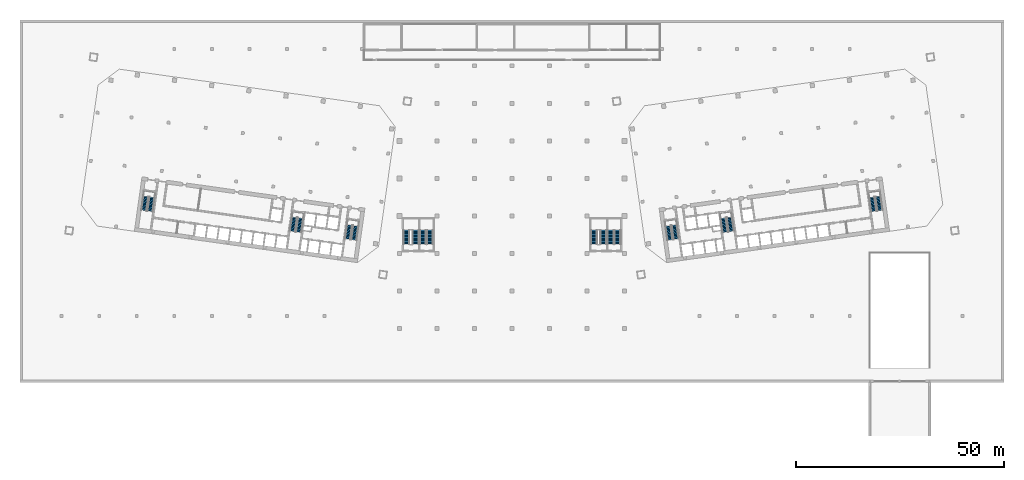
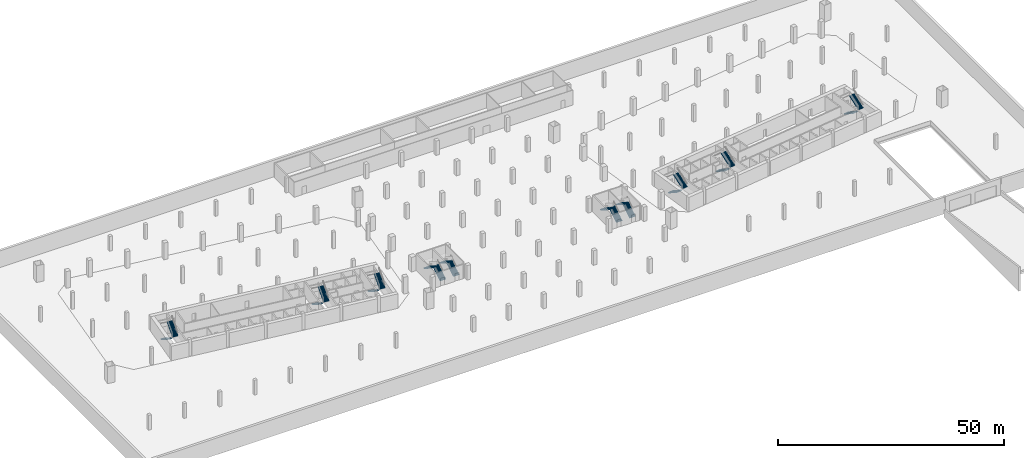
# One storey, part 13 of 17: 20 stair flights, 10 elements without a shape of their own.
"""IFC4 building model written with IfcOpenShell, lengths in metres."""

from ifc_helpers import new_model, si_unit, direction, frame, origin, place, context, subcontext, project, spatial, polyline, outline, extrude, material, type_object, element, aggregate, save


model = new_model("IFC4")

# Units and contexts
model_context = context("Model", 3, precision=1e-05, world=origin(), true_north=direction((0.0, 1.0)))
body_context = subcontext(model_context, "Body", "Model", "MODEL_VIEW")
ifc_project = project(units=[si_unit("LENGTHUNIT", "METRE"), si_unit("AREAUNIT", "SQUARE_METRE"), si_unit("VOLUMEUNIT", "CUBIC_METRE"), si_unit("PLANEANGLEUNIT", "RADIAN"), si_unit("MASSUNIT", "GRAM", prefix="KILO")], contexts=[model_context])

# Site, building, storey
site_placement = place(None, origin())
site = spatial("IfcSite", under=ifc_project, at=site_placement, CompositionType="ELEMENT")
building_placement = place(site_placement, origin())
building = spatial("IfcBuilding", under=site, at=building_placement, Name="Mirante Cascada Hotel Towers", CompositionType="ELEMENT")
storey_placement = place(building_placement, frame((0.0, 0.0, -4.5)))
storey = spatial("IfcBuildingStorey", under=building, at=storey_placement, Name="B1", CompositionType="ELEMENT", Elevation=-4.5)

# Stair, stair flights
ifc_material_1 = material(Name="Concrete C35/45", Category="concrete")
stair_type_1 = type_object("IfcStairType", Name="Exit stair half-turn 1350 concrete C35/45", PredefinedType="HALF_TURN_STAIR", material=ifc_material_1)
stair_1_placement = place(storey_placement, origin())
stair_1 = element("IfcStair", 1, at=stair_1_placement, inside=storey, type_object=stair_type_1, Name="B1 Exit stair A", PredefinedType="HALF_TURN_STAIR")
ifc_material_2 = material(Name="Concrete C35/45", Category="concrete")
stair_flight_type_1 = type_object("IfcStairFlightType", Name="Exit stair flight 1350 concrete C35/45", PredefinedType="STRAIGHT", material=ifc_material_2)
stair_flight_1_placement = place(storey_placement, frame((-38.9417, -11.195, 0.0), z_axis=(0.0, 0.0, 1.0), x_axis=(-0.1391731, -0.9902681, 0.0)))
stair_flight_1 = element("IfcStairFlight", 2, at=stair_flight_1_placement, type_object=stair_flight_type_1, Name="ST1-A flight 1", NumberOfRisers=13, NumberOfTreads=12, PredefinedType="STRAIGHT", RiserHeight=0.173076923, TreadLength=0.28, context=body_context, shape_type="SweptSolid", body=[
    extrude(outline(polyline([(0.0, 0.0), (0.0, 0.1731), (0.28, 0.1731), (0.28, 0.3462), (0.56, 0.3462), (0.56, 0.5192), (0.84, 0.5192), (0.84, 0.6923), (1.12, 0.6923), (1.12, 0.8654), (1.4, 0.8654), (1.4, 1.0385), (1.68, 1.0385), (1.68, 1.2115), (1.96, 1.2115), (1.96, 1.3846), (2.24, 1.3846), (2.24, 1.5577), (2.52, 1.5577), (2.52, 1.7308), (2.8, 1.7308), (2.8, 1.9038), (3.08, 1.9038), (3.08, 2.0769), (3.36, 2.0769), (3.36, 2.25), (3.36, 1.9006), (0.2853, 0.0), (0.0, 0.0)])), frame((0.0, 0.675, 0.0), z_axis=(0.0, -1.0, 0.0), x_axis=(1.0, 0.0, 0.0)), (0.0, 0.0, 1.0), 1.35),
])
stair_flight_2_placement = place(storey_placement, frame((-37.9239, -14.7311, 2.25), z_axis=(0.0, 0.0, 1.0), x_axis=(0.1391731, 0.9902681, 0.0)))
stair_flight_2 = element("IfcStairFlight", 3, at=stair_flight_2_placement, type_object=stair_flight_type_1, Name="ST1-A flight 2", NumberOfRisers=13, NumberOfTreads=12, PredefinedType="STRAIGHT", RiserHeight=0.173076923, TreadLength=0.28, context=body_context, shape_type="SweptSolid", body=[
    extrude(outline(polyline([(0.0, 0.0), (0.0, 0.1731), (0.28, 0.1731), (0.28, 0.3462), (0.56, 0.3462), (0.56, 0.5192), (0.84, 0.5192), (0.84, 0.6923), (1.12, 0.6923), (1.12, 0.8654), (1.4, 0.8654), (1.4, 1.0385), (1.68, 1.0385), (1.68, 1.2115), (1.96, 1.2115), (1.96, 1.3846), (2.24, 1.3846), (2.24, 1.5577), (2.52, 1.5577), (2.52, 1.7308), (2.8, 1.7308), (2.8, 1.9038), (3.08, 1.9038), (3.08, 2.0769), (3.36, 2.0769), (3.36, 2.25), (3.36, 1.9006), (0.2853, 0.0), (0.0, 0.0)])), frame((0.0, 0.675, 0.0), z_axis=(0.0, -1.0, 0.0), x_axis=(1.0, 0.0, 0.0)), (0.0, 0.0, 1.0), 1.35),
])
aggregate(stair_1, [stair_flight_1, stair_flight_2])

stair_2_placement = place(storey_placement, origin())
stair_2 = element("IfcStair", 4, at=stair_2_placement, inside=storey, type_object=stair_type_1, Name="B1 Exit stair B", PredefinedType="HALF_TURN_STAIR")
stair_flight_3_placement = place(storey_placement, frame((-52.1618, -9.3371, 0.0), z_axis=(0.0, 0.0, 1.0), x_axis=(-0.1391731, -0.9902681, 0.0)))
stair_flight_3 = element("IfcStairFlight", 5, at=stair_flight_3_placement, type_object=stair_flight_type_1, Name="ST1-B flight 1", NumberOfRisers=13, NumberOfTreads=12, PredefinedType="STRAIGHT", RiserHeight=0.173076923, TreadLength=0.28, context=body_context, shape_type="SweptSolid", body=[
    extrude(outline(polyline([(0.0, 0.0), (0.0, 0.1731), (0.28, 0.1731), (0.28, 0.3462), (0.56, 0.3462), (0.56, 0.5192), (0.84, 0.5192), (0.84, 0.6923), (1.12, 0.6923), (1.12, 0.8654), (1.4, 0.8654), (1.4, 1.0385), (1.68, 1.0385), (1.68, 1.2115), (1.96, 1.2115), (1.96, 1.3846), (2.24, 1.3846), (2.24, 1.5577), (2.52, 1.5577), (2.52, 1.7308), (2.8, 1.7308), (2.8, 1.9038), (3.08, 1.9038), (3.08, 2.0769), (3.36, 2.0769), (3.36, 2.25), (3.36, 1.9006), (0.2853, 0.0), (0.0, 0.0)])), frame((0.0, 0.675, 0.0), z_axis=(0.0, -1.0, 0.0), x_axis=(1.0, 0.0, 0.0)), (0.0, 0.0, 1.0), 1.35),
])
stair_flight_4_placement = place(storey_placement, frame((-51.144, -12.8731, 2.25), z_axis=(0.0, 0.0, 1.0), x_axis=(0.1391731, 0.9902681, 0.0)))
stair_flight_4 = element("IfcStairFlight", 6, at=stair_flight_4_placement, type_object=stair_flight_type_1, Name="ST1-B flight 2", NumberOfRisers=13, NumberOfTreads=12, PredefinedType="STRAIGHT", RiserHeight=0.173076923, TreadLength=0.28, context=body_context, shape_type="SweptSolid", body=[
    extrude(outline(polyline([(0.0, 0.0), (0.0, 0.1731), (0.28, 0.1731), (0.28, 0.3462), (0.56, 0.3462), (0.56, 0.5192), (0.84, 0.5192), (0.84, 0.6923), (1.12, 0.6923), (1.12, 0.8654), (1.4, 0.8654), (1.4, 1.0385), (1.68, 1.0385), (1.68, 1.2115), (1.96, 1.2115), (1.96, 1.3846), (2.24, 1.3846), (2.24, 1.5577), (2.52, 1.5577), (2.52, 1.7308), (2.8, 1.7308), (2.8, 1.9038), (3.08, 1.9038), (3.08, 2.0769), (3.36, 2.0769), (3.36, 2.25), (3.36, 1.9006), (0.2853, 0.0), (0.0, 0.0)])), frame((0.0, 0.675, 0.0), z_axis=(0.0, -1.0, 0.0), x_axis=(1.0, 0.0, 0.0)), (0.0, 0.0, 1.0), 1.35),
])
aggregate(stair_2, [stair_flight_3, stair_flight_4])

stair_3_placement = place(storey_placement, origin())
stair_3 = element("IfcStair", 7, at=stair_3_placement, inside=storey, type_object=stair_type_1, Name="B1 Exit stair C", PredefinedType="HALF_TURN_STAIR")
stair_flight_5_placement = place(storey_placement, frame((-87.8115, -4.3268, 0.0), z_axis=(0.0, 0.0, 1.0), x_axis=(-0.1391731, -0.9902681, 0.0)))
stair_flight_5 = element("IfcStairFlight", 8, at=stair_flight_5_placement, type_object=stair_flight_type_1, Name="ST1-C flight 1", NumberOfRisers=13, NumberOfTreads=12, PredefinedType="STRAIGHT", RiserHeight=0.173076923, TreadLength=0.28, context=body_context, shape_type="SweptSolid", body=[
    extrude(outline(polyline([(0.0, 0.0), (0.0, 0.1731), (0.28, 0.1731), (0.28, 0.3462), (0.56, 0.3462), (0.56, 0.5192), (0.84, 0.5192), (0.84, 0.6923), (1.12, 0.6923), (1.12, 0.8654), (1.4, 0.8654), (1.4, 1.0385), (1.68, 1.0385), (1.68, 1.2115), (1.96, 1.2115), (1.96, 1.3846), (2.24, 1.3846), (2.24, 1.5577), (2.52, 1.5577), (2.52, 1.7308), (2.8, 1.7308), (2.8, 1.9038), (3.08, 1.9038), (3.08, 2.0769), (3.36, 2.0769), (3.36, 2.25), (3.36, 1.9006), (0.2853, 0.0), (0.0, 0.0)])), frame((0.0, 0.675, 0.0), z_axis=(0.0, -1.0, 0.0), x_axis=(1.0, 0.0, 0.0)), (0.0, 0.0, 1.0), 1.35),
])
stair_flight_6_placement = place(storey_placement, frame((-86.7937, -7.8629, 2.25), z_axis=(0.0, 0.0, 1.0), x_axis=(0.1391731, 0.9902681, 0.0)))
stair_flight_6 = element("IfcStairFlight", 9, at=stair_flight_6_placement, type_object=stair_flight_type_1, Name="ST1-C flight 2", NumberOfRisers=13, NumberOfTreads=12, PredefinedType="STRAIGHT", RiserHeight=0.173076923, TreadLength=0.28, context=body_context, shape_type="SweptSolid", body=[
    extrude(outline(polyline([(0.0, 0.0), (0.0, 0.1731), (0.28, 0.1731), (0.28, 0.3462), (0.56, 0.3462), (0.56, 0.5192), (0.84, 0.5192), (0.84, 0.6923), (1.12, 0.6923), (1.12, 0.8654), (1.4, 0.8654), (1.4, 1.0385), (1.68, 1.0385), (1.68, 1.2115), (1.96, 1.2115), (1.96, 1.3846), (2.24, 1.3846), (2.24, 1.5577), (2.52, 1.5577), (2.52, 1.7308), (2.8, 1.7308), (2.8, 1.9038), (3.08, 1.9038), (3.08, 2.0769), (3.36, 2.0769), (3.36, 2.25), (3.36, 1.9006), (0.2853, 0.0), (0.0, 0.0)])), frame((0.0, 0.675, 0.0), z_axis=(0.0, -1.0, 0.0), x_axis=(1.0, 0.0, 0.0)), (0.0, 0.0, 1.0), 1.35),
])
aggregate(stair_3, [stair_flight_5, stair_flight_6])

stair_4_placement = place(storey_placement, origin())
stair_4 = element("IfcStair", 10, at=stair_4_placement, inside=storey, type_object=stair_type_1, Name="B1 Exit stair A", PredefinedType="HALF_TURN_STAIR")
stair_flight_7_placement = place(storey_placement, frame((37.4563, -11.4038, 0.0), z_axis=(0.0, 0.0, 1.0), x_axis=(0.1391731, -0.9902681, 0.0)))
stair_flight_7 = element("IfcStairFlight", 11, at=stair_flight_7_placement, type_object=stair_flight_type_1, Name="ST2-A flight 1", NumberOfRisers=13, NumberOfTreads=12, PredefinedType="STRAIGHT", RiserHeight=0.173076923, TreadLength=0.28, context=body_context, shape_type="SweptSolid", body=[
    extrude(outline(polyline([(0.0, 0.0), (0.0, 0.1731), (0.28, 0.1731), (0.28, 0.3462), (0.56, 0.3462), (0.56, 0.5192), (0.84, 0.5192), (0.84, 0.6923), (1.12, 0.6923), (1.12, 0.8654), (1.4, 0.8654), (1.4, 1.0385), (1.68, 1.0385), (1.68, 1.2115), (1.96, 1.2115), (1.96, 1.3846), (2.24, 1.3846), (2.24, 1.5577), (2.52, 1.5577), (2.52, 1.7308), (2.8, 1.7308), (2.8, 1.9038), (3.08, 1.9038), (3.08, 2.0769), (3.36, 2.0769), (3.36, 2.25), (3.36, 1.9006), (0.2853, 0.0), (0.0, 0.0)])), frame((0.0, 0.675, 0.0), z_axis=(0.0, -1.0, 0.0), x_axis=(1.0, 0.0, 0.0)), (0.0, 0.0, 1.0), 1.35),
])
stair_flight_8_placement = place(storey_placement, frame((39.4093, -14.5223, 2.25), z_axis=(0.0, 0.0, 1.0), x_axis=(-0.1391731, 0.9902681, 0.0)))
stair_flight_8 = element("IfcStairFlight", 12, at=stair_flight_8_placement, type_object=stair_flight_type_1, Name="ST2-A flight 2", NumberOfRisers=13, NumberOfTreads=12, PredefinedType="STRAIGHT", RiserHeight=0.173076923, TreadLength=0.28, context=body_context, shape_type="SweptSolid", body=[
    extrude(outline(polyline([(0.0, 0.0), (0.0, 0.1731), (0.28, 0.1731), (0.28, 0.3462), (0.56, 0.3462), (0.56, 0.5192), (0.84, 0.5192), (0.84, 0.6923), (1.12, 0.6923), (1.12, 0.8654), (1.4, 0.8654), (1.4, 1.0385), (1.68, 1.0385), (1.68, 1.2115), (1.96, 1.2115), (1.96, 1.3846), (2.24, 1.3846), (2.24, 1.5577), (2.52, 1.5577), (2.52, 1.7308), (2.8, 1.7308), (2.8, 1.9038), (3.08, 1.9038), (3.08, 2.0769), (3.36, 2.0769), (3.36, 2.25), (3.36, 1.9006), (0.2853, 0.0), (0.0, 0.0)])), frame((0.0, 0.675, 0.0), z_axis=(0.0, -1.0, 0.0), x_axis=(1.0, 0.0, 0.0)), (0.0, 0.0, 1.0), 1.35),
])
aggregate(stair_4, [stair_flight_7, stair_flight_8])

stair_5_placement = place(storey_placement, origin())
stair_5 = element("IfcStair", 13, at=stair_5_placement, inside=storey, type_object=stair_type_1, Name="B1 Exit stair B", PredefinedType="HALF_TURN_STAIR")
stair_flight_9_placement = place(storey_placement, frame((50.6764, -9.5458, 0.0), z_axis=(0.0, 0.0, 1.0), x_axis=(0.1391731, -0.9902681, 0.0)))
stair_flight_9 = element("IfcStairFlight", 14, at=stair_flight_9_placement, type_object=stair_flight_type_1, Name="ST2-B flight 1", NumberOfRisers=13, NumberOfTreads=12, PredefinedType="STRAIGHT", RiserHeight=0.173076923, TreadLength=0.28, context=body_context, shape_type="SweptSolid", body=[
    extrude(outline(polyline([(0.0, 0.0), (0.0, 0.1731), (0.28, 0.1731), (0.28, 0.3462), (0.56, 0.3462), (0.56, 0.5192), (0.84, 0.5192), (0.84, 0.6923), (1.12, 0.6923), (1.12, 0.8654), (1.4, 0.8654), (1.4, 1.0385), (1.68, 1.0385), (1.68, 1.2115), (1.96, 1.2115), (1.96, 1.3846), (2.24, 1.3846), (2.24, 1.5577), (2.52, 1.5577), (2.52, 1.7308), (2.8, 1.7308), (2.8, 1.9038), (3.08, 1.9038), (3.08, 2.0769), (3.36, 2.0769), (3.36, 2.25), (3.36, 1.9006), (0.2853, 0.0), (0.0, 0.0)])), frame((0.0, 0.675, 0.0), z_axis=(0.0, -1.0, 0.0), x_axis=(1.0, 0.0, 0.0)), (0.0, 0.0, 1.0), 1.35),
])
stair_flight_10_placement = place(storey_placement, frame((52.6294, -12.6644, 2.25), z_axis=(0.0, 0.0, 1.0), x_axis=(-0.1391731, 0.9902681, 0.0)))
stair_flight_10 = element("IfcStairFlight", 15, at=stair_flight_10_placement, type_object=stair_flight_type_1, Name="ST2-B flight 2", NumberOfRisers=13, NumberOfTreads=12, PredefinedType="STRAIGHT", RiserHeight=0.173076923, TreadLength=0.28, context=body_context, shape_type="SweptSolid", body=[
    extrude(outline(polyline([(0.0, 0.0), (0.0, 0.1731), (0.28, 0.1731), (0.28, 0.3462), (0.56, 0.3462), (0.56, 0.5192), (0.84, 0.5192), (0.84, 0.6923), (1.12, 0.6923), (1.12, 0.8654), (1.4, 0.8654), (1.4, 1.0385), (1.68, 1.0385), (1.68, 1.2115), (1.96, 1.2115), (1.96, 1.3846), (2.24, 1.3846), (2.24, 1.5577), (2.52, 1.5577), (2.52, 1.7308), (2.8, 1.7308), (2.8, 1.9038), (3.08, 1.9038), (3.08, 2.0769), (3.36, 2.0769), (3.36, 2.25), (3.36, 1.9006), (0.2853, 0.0), (0.0, 0.0)])), frame((0.0, 0.675, 0.0), z_axis=(0.0, -1.0, 0.0), x_axis=(1.0, 0.0, 0.0)), (0.0, 0.0, 1.0), 1.35),
])
aggregate(stair_5, [stair_flight_9, stair_flight_10])

stair_6_placement = place(storey_placement, origin())
stair_6 = element("IfcStair", 16, at=stair_6_placement, inside=storey, type_object=stair_type_1, Name="B1 Exit stair C", PredefinedType="HALF_TURN_STAIR")
stair_flight_11_placement = place(storey_placement, frame((86.326, -4.5356, 0.0), z_axis=(0.0, 0.0, 1.0), x_axis=(0.1391731, -0.9902681, 0.0)))
stair_flight_11 = element("IfcStairFlight", 17, at=stair_flight_11_placement, type_object=stair_flight_type_1, Name="ST2-C flight 1", NumberOfRisers=13, NumberOfTreads=12, PredefinedType="STRAIGHT", RiserHeight=0.173076923, TreadLength=0.28, context=body_context, shape_type="SweptSolid", body=[
    extrude(outline(polyline([(0.0, 0.0), (0.0, 0.1731), (0.28, 0.1731), (0.28, 0.3462), (0.56, 0.3462), (0.56, 0.5192), (0.84, 0.5192), (0.84, 0.6923), (1.12, 0.6923), (1.12, 0.8654), (1.4, 0.8654), (1.4, 1.0385), (1.68, 1.0385), (1.68, 1.2115), (1.96, 1.2115), (1.96, 1.3846), (2.24, 1.3846), (2.24, 1.5577), (2.52, 1.5577), (2.52, 1.7308), (2.8, 1.7308), (2.8, 1.9038), (3.08, 1.9038), (3.08, 2.0769), (3.36, 2.0769), (3.36, 2.25), (3.36, 1.9006), (0.2853, 0.0), (0.0, 0.0)])), frame((0.0, 0.675, 0.0), z_axis=(0.0, -1.0, 0.0), x_axis=(1.0, 0.0, 0.0)), (0.0, 0.0, 1.0), 1.35),
])
stair_flight_12_placement = place(storey_placement, frame((88.2791, -7.6541, 2.25), z_axis=(0.0, 0.0, 1.0), x_axis=(-0.1391731, 0.9902681, 0.0)))
stair_flight_12 = element("IfcStairFlight", 18, at=stair_flight_12_placement, type_object=stair_flight_type_1, Name="ST2-C flight 2", NumberOfRisers=13, NumberOfTreads=12, PredefinedType="STRAIGHT", RiserHeight=0.173076923, TreadLength=0.28, context=body_context, shape_type="SweptSolid", body=[
    extrude(outline(polyline([(0.0, 0.0), (0.0, 0.1731), (0.28, 0.1731), (0.28, 0.3462), (0.56, 0.3462), (0.56, 0.5192), (0.84, 0.5192), (0.84, 0.6923), (1.12, 0.6923), (1.12, 0.8654), (1.4, 0.8654), (1.4, 1.0385), (1.68, 1.0385), (1.68, 1.2115), (1.96, 1.2115), (1.96, 1.3846), (2.24, 1.3846), (2.24, 1.5577), (2.52, 1.5577), (2.52, 1.7308), (2.8, 1.7308), (2.8, 1.9038), (3.08, 1.9038), (3.08, 2.0769), (3.36, 2.0769), (3.36, 2.25), (3.36, 1.9006), (0.2853, 0.0), (0.0, 0.0)])), frame((0.0, 0.675, 0.0), z_axis=(0.0, -1.0, 0.0), x_axis=(1.0, 0.0, 0.0)), (0.0, 0.0, 1.0), 1.35),
])
aggregate(stair_6, [stair_flight_11, stair_flight_12])

ifc_material_3 = material(Name="Concrete C35/45", Category="concrete")
stair_type_2 = type_object("IfcStairType", Name="Podium exit stair half-turn 1500 concrete C35/45", PredefinedType="HALF_TURN_STAIR", material=ifc_material_3)
stair_7_placement = place(storey_placement, origin())
stair_7 = element("IfcStair", 19, at=stair_7_placement, inside=storey, type_object=stair_type_2, Name="B1 Podium exit stair 3", PredefinedType="HALF_TURN_STAIR")
ifc_material_4 = material(Name="Concrete C35/45", Category="concrete")
stair_flight_type_2 = type_object("IfcStairFlightType", Name="Podium exit stair flight 1500 concrete C35/45", PredefinedType="STRAIGHT", material=ifc_material_4)
stair_flight_13_placement = place(storey_placement, frame((-19.675, -15.775, 0.0), z_axis=(0.0, 0.0, 1.0), x_axis=(0.0, 1.0, 0.0)))
stair_flight_13 = element("IfcStairFlight", 20, at=stair_flight_13_placement, type_object=stair_flight_type_2, Name="PS1 flight 1", NumberOfRisers=13, NumberOfTreads=12, PredefinedType="STRAIGHT", RiserHeight=0.173076923, TreadLength=0.28, context=body_context, shape_type="SweptSolid", body=[
    extrude(outline(polyline([(0.0, 0.0), (0.0, 0.1731), (0.28, 0.1731), (0.28, 0.3462), (0.56, 0.3462), (0.56, 0.5192), (0.84, 0.5192), (0.84, 0.6923), (1.12, 0.6923), (1.12, 0.8654), (1.4, 0.8654), (1.4, 1.0385), (1.68, 1.0385), (1.68, 1.2115), (1.96, 1.2115), (1.96, 1.3846), (2.24, 1.3846), (2.24, 1.5577), (2.52, 1.5577), (2.52, 1.7308), (2.8, 1.7308), (2.8, 1.9038), (3.08, 1.9038), (3.08, 2.0769), (3.36, 2.0769), (3.36, 2.25), (3.36, 1.9006), (0.2853, 0.0), (0.0, 0.0)])), frame((0.0, 0.75, 0.0), z_axis=(0.0, -1.0, 0.0), x_axis=(1.0, 0.0, 0.0)), (0.0, 0.0, 1.0), 1.5),
])
stair_flight_14_placement = place(storey_placement, frame((-21.325, -12.415, 2.25), z_axis=(0.0, 0.0, 1.0), x_axis=(0.0, -1.0, 0.0)))
stair_flight_14 = element("IfcStairFlight", 21, at=stair_flight_14_placement, type_object=stair_flight_type_2, Name="PS1 flight 2", NumberOfRisers=13, NumberOfTreads=12, PredefinedType="STRAIGHT", RiserHeight=0.173076923, TreadLength=0.28, context=body_context, shape_type="SweptSolid", body=[
    extrude(outline(polyline([(0.0, 0.0), (0.0, 0.1731), (0.28, 0.1731), (0.28, 0.3462), (0.56, 0.3462), (0.56, 0.5192), (0.84, 0.5192), (0.84, 0.6923), (1.12, 0.6923), (1.12, 0.8654), (1.4, 0.8654), (1.4, 1.0385), (1.68, 1.0385), (1.68, 1.2115), (1.96, 1.2115), (1.96, 1.3846), (2.24, 1.3846), (2.24, 1.5577), (2.52, 1.5577), (2.52, 1.7308), (2.8, 1.7308), (2.8, 1.9038), (3.08, 1.9038), (3.08, 2.0769), (3.36, 2.0769), (3.36, 2.25), (3.36, 1.9006), (0.2853, 0.0), (0.0, 0.0)])), frame((0.0, 0.75, 0.0), z_axis=(0.0, -1.0, 0.0), x_axis=(1.0, 0.0, 0.0)), (0.0, 0.0, 1.0), 1.5),
])
aggregate(stair_7, [stair_flight_13, stair_flight_14])

stair_8_placement = place(storey_placement, origin())
stair_8 = element("IfcStair", 22, at=stair_8_placement, inside=storey, type_object=stair_type_2, Name="B1 Podium exit stair 5", PredefinedType="HALF_TURN_STAIR")
stair_flight_15_placement = place(storey_placement, frame((-23.075, -15.775, 0.0), z_axis=(0.0, 0.0, 1.0), x_axis=(0.0, 1.0, 0.0)))
stair_flight_15 = element("IfcStairFlight", 23, at=stair_flight_15_placement, type_object=stair_flight_type_2, Name="PS3 flight 1", NumberOfRisers=13, NumberOfTreads=12, PredefinedType="STRAIGHT", RiserHeight=0.173076923, TreadLength=0.28, context=body_context, shape_type="SweptSolid", body=[
    extrude(outline(polyline([(0.0, 0.0), (0.0, 0.1731), (0.28, 0.1731), (0.28, 0.3462), (0.56, 0.3462), (0.56, 0.5192), (0.84, 0.5192), (0.84, 0.6923), (1.12, 0.6923), (1.12, 0.8654), (1.4, 0.8654), (1.4, 1.0385), (1.68, 1.0385), (1.68, 1.2115), (1.96, 1.2115), (1.96, 1.3846), (2.24, 1.3846), (2.24, 1.5577), (2.52, 1.5577), (2.52, 1.7308), (2.8, 1.7308), (2.8, 1.9038), (3.08, 1.9038), (3.08, 2.0769), (3.36, 2.0769), (3.36, 2.25), (3.36, 1.9006), (0.2853, 0.0), (0.0, 0.0)])), frame((0.0, 0.75, 0.0), z_axis=(0.0, -1.0, 0.0), x_axis=(1.0, 0.0, 0.0)), (0.0, 0.0, 1.0), 1.5),
])
stair_flight_16_placement = place(storey_placement, frame((-25.325, -12.415, 2.25), z_axis=(0.0, 0.0, 1.0), x_axis=(0.0, -1.0, 0.0)))
stair_flight_16 = element("IfcStairFlight", 24, at=stair_flight_16_placement, type_object=stair_flight_type_2, Name="PS3 flight 2", NumberOfRisers=13, NumberOfTreads=12, PredefinedType="STRAIGHT", RiserHeight=0.173076923, TreadLength=0.28, context=body_context, shape_type="SweptSolid", body=[
    extrude(outline(polyline([(0.0, 0.0), (0.0, 0.1731), (0.28, 0.1731), (0.28, 0.3462), (0.56, 0.3462), (0.56, 0.5192), (0.84, 0.5192), (0.84, 0.6923), (1.12, 0.6923), (1.12, 0.8654), (1.4, 0.8654), (1.4, 1.0385), (1.68, 1.0385), (1.68, 1.2115), (1.96, 1.2115), (1.96, 1.3846), (2.24, 1.3846), (2.24, 1.5577), (2.52, 1.5577), (2.52, 1.7308), (2.8, 1.7308), (2.8, 1.9038), (3.08, 1.9038), (3.08, 2.0769), (3.36, 2.0769), (3.36, 2.25), (3.36, 1.9006), (0.2853, 0.0), (0.0, 0.0)])), frame((0.0, 0.75, 0.0), z_axis=(0.0, -1.0, 0.0), x_axis=(1.0, 0.0, 0.0)), (0.0, 0.0, 1.0), 1.5),
])
aggregate(stair_8, [stair_flight_15, stair_flight_16])

stair_9_placement = place(storey_placement, origin())
stair_9 = element("IfcStair", 25, at=stair_9_placement, inside=storey, type_object=stair_type_2, Name="B1 Podium exit stair 4", PredefinedType="HALF_TURN_STAIR")
stair_flight_17_placement = place(storey_placement, frame((25.325, -15.775, 0.0), z_axis=(0.0, 0.0, 1.0), x_axis=(0.0, 1.0, 0.0)))
stair_flight_17 = element("IfcStairFlight", 26, at=stair_flight_17_placement, type_object=stair_flight_type_2, Name="PS2 flight 1", NumberOfRisers=13, NumberOfTreads=12, PredefinedType="STRAIGHT", RiserHeight=0.173076923, TreadLength=0.28, context=body_context, shape_type="SweptSolid", body=[
    extrude(outline(polyline([(0.0, 0.0), (0.0, 0.1731), (0.28, 0.1731), (0.28, 0.3462), (0.56, 0.3462), (0.56, 0.5192), (0.84, 0.5192), (0.84, 0.6923), (1.12, 0.6923), (1.12, 0.8654), (1.4, 0.8654), (1.4, 1.0385), (1.68, 1.0385), (1.68, 1.2115), (1.96, 1.2115), (1.96, 1.3846), (2.24, 1.3846), (2.24, 1.5577), (2.52, 1.5577), (2.52, 1.7308), (2.8, 1.7308), (2.8, 1.9038), (3.08, 1.9038), (3.08, 2.0769), (3.36, 2.0769), (3.36, 2.25), (3.36, 1.9006), (0.2853, 0.0), (0.0, 0.0)])), frame((0.0, 0.75, 0.0), z_axis=(0.0, -1.0, 0.0), x_axis=(1.0, 0.0, 0.0)), (0.0, 0.0, 1.0), 1.5),
])
stair_flight_18_placement = place(storey_placement, frame((23.675, -12.415, 2.25), z_axis=(0.0, 0.0, 1.0), x_axis=(0.0, -1.0, 0.0)))
stair_flight_18 = element("IfcStairFlight", 27, at=stair_flight_18_placement, type_object=stair_flight_type_2, Name="PS2 flight 2", NumberOfRisers=13, NumberOfTreads=12, PredefinedType="STRAIGHT", RiserHeight=0.173076923, TreadLength=0.28, context=body_context, shape_type="SweptSolid", body=[
    extrude(outline(polyline([(0.0, 0.0), (0.0, 0.1731), (0.28, 0.1731), (0.28, 0.3462), (0.56, 0.3462), (0.56, 0.5192), (0.84, 0.5192), (0.84, 0.6923), (1.12, 0.6923), (1.12, 0.8654), (1.4, 0.8654), (1.4, 1.0385), (1.68, 1.0385), (1.68, 1.2115), (1.96, 1.2115), (1.96, 1.3846), (2.24, 1.3846), (2.24, 1.5577), (2.52, 1.5577), (2.52, 1.7308), (2.8, 1.7308), (2.8, 1.9038), (3.08, 1.9038), (3.08, 2.0769), (3.36, 2.0769), (3.36, 2.25), (3.36, 1.9006), (0.2853, 0.0), (0.0, 0.0)])), frame((0.0, 0.75, 0.0), z_axis=(0.0, -1.0, 0.0), x_axis=(1.0, 0.0, 0.0)), (0.0, 0.0, 1.0), 1.5),
])
aggregate(stair_9, [stair_flight_17, stair_flight_18])

stair_10_placement = place(storey_placement, origin())
stair_10 = element("IfcStair", 28, at=stair_10_placement, inside=storey, type_object=stair_type_2, Name="B1 Podium exit stair 6", PredefinedType="HALF_TURN_STAIR")
stair_flight_19_placement = place(storey_placement, frame((21.925, -15.775, 0.0), z_axis=(0.0, 0.0, 1.0), x_axis=(0.0, 1.0, 0.0)))
stair_flight_19 = element("IfcStairFlight", 29, at=stair_flight_19_placement, type_object=stair_flight_type_2, Name="PS4 flight 1", NumberOfRisers=13, NumberOfTreads=12, PredefinedType="STRAIGHT", RiserHeight=0.173076923, TreadLength=0.28, context=body_context, shape_type="SweptSolid", body=[
    extrude(outline(polyline([(0.0, 0.0), (0.0, 0.1731), (0.28, 0.1731), (0.28, 0.3462), (0.56, 0.3462), (0.56, 0.5192), (0.84, 0.5192), (0.84, 0.6923), (1.12, 0.6923), (1.12, 0.8654), (1.4, 0.8654), (1.4, 1.0385), (1.68, 1.0385), (1.68, 1.2115), (1.96, 1.2115), (1.96, 1.3846), (2.24, 1.3846), (2.24, 1.5577), (2.52, 1.5577), (2.52, 1.7308), (2.8, 1.7308), (2.8, 1.9038), (3.08, 1.9038), (3.08, 2.0769), (3.36, 2.0769), (3.36, 2.25), (3.36, 1.9006), (0.2853, 0.0), (0.0, 0.0)])), frame((0.0, 0.75, 0.0), z_axis=(0.0, -1.0, 0.0), x_axis=(1.0, 0.0, 0.0)), (0.0, 0.0, 1.0), 1.5),
])
stair_flight_20_placement = place(storey_placement, frame((19.675, -12.415, 2.25), z_axis=(0.0, 0.0, 1.0), x_axis=(0.0, -1.0, 0.0)))
stair_flight_20 = element("IfcStairFlight", 30, at=stair_flight_20_placement, type_object=stair_flight_type_2, Name="PS4 flight 2", NumberOfRisers=13, NumberOfTreads=12, PredefinedType="STRAIGHT", RiserHeight=0.173076923, TreadLength=0.28, context=body_context, shape_type="SweptSolid", body=[
    extrude(outline(polyline([(0.0, 0.0), (0.0, 0.1731), (0.28, 0.1731), (0.28, 0.3462), (0.56, 0.3462), (0.56, 0.5192), (0.84, 0.5192), (0.84, 0.6923), (1.12, 0.6923), (1.12, 0.8654), (1.4, 0.8654), (1.4, 1.0385), (1.68, 1.0385), (1.68, 1.2115), (1.96, 1.2115), (1.96, 1.3846), (2.24, 1.3846), (2.24, 1.5577), (2.52, 1.5577), (2.52, 1.7308), (2.8, 1.7308), (2.8, 1.9038), (3.08, 1.9038), (3.08, 2.0769), (3.36, 2.0769), (3.36, 2.25), (3.36, 1.9006), (0.2853, 0.0), (0.0, 0.0)])), frame((0.0, 0.75, 0.0), z_axis=(0.0, -1.0, 0.0), x_axis=(1.0, 0.0, 0.0)), (0.0, 0.0, 1.0), 1.5),
])
aggregate(stair_10, [stair_flight_19, stair_flight_20])

save(model, "model.ifc")
